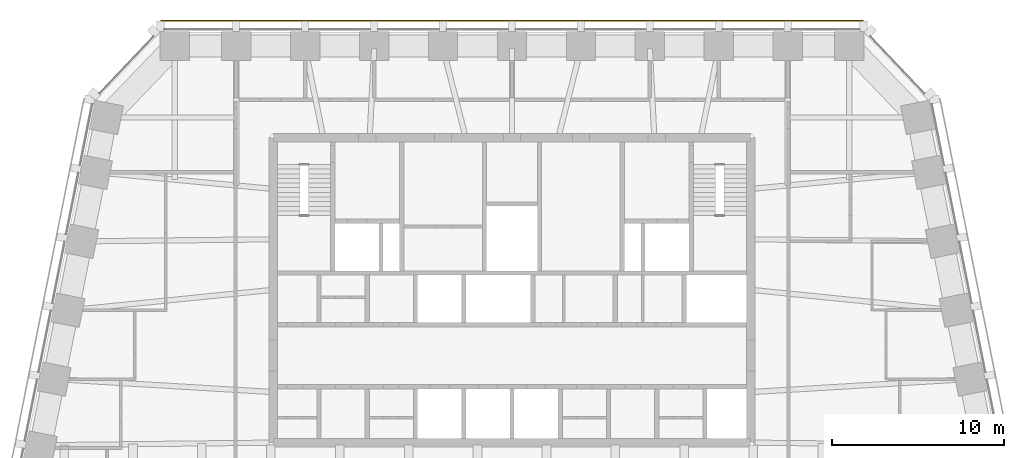
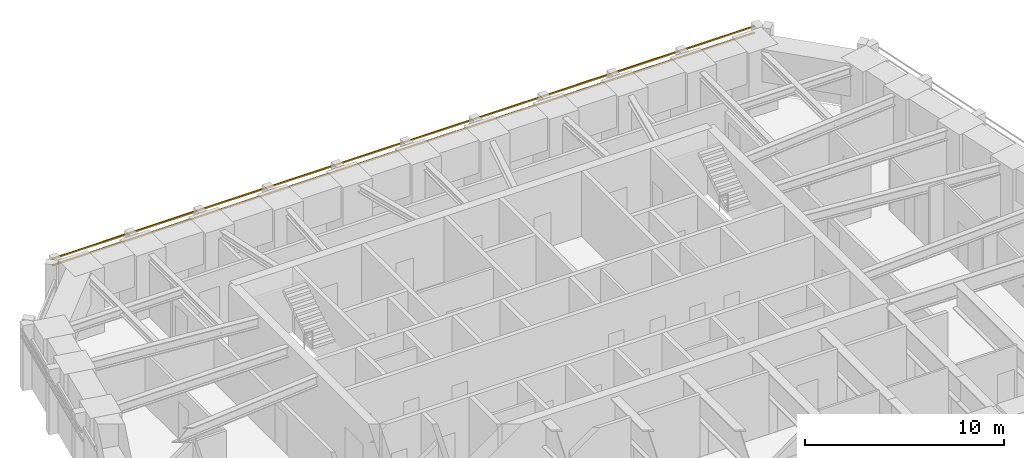
# One storey, part 12 of 12: 2 shading devices.
"""IFC4 building model written with IfcOpenShell, lengths in metres."""

from ifc_helpers import new_model, si_unit, direction, frame, origin, origin_2d, place, context, subcontext, project, spatial, rectangle, extrude, material, material_profile, profile_set, type_object, element, save


model = new_model("IFC4")

# Units and contexts
model_context = context("Model", 3, precision=1e-05, world=origin(), true_north=direction((0.0, 1.0)))
body_context = subcontext(model_context, "Body", "Model", "MODEL_VIEW")
ifc_project = project(units=[si_unit("LENGTHUNIT", "METRE"), si_unit("AREAUNIT", "SQUARE_METRE"), si_unit("VOLUMEUNIT", "CUBIC_METRE"), si_unit("PLANEANGLEUNIT", "RADIAN"), si_unit("MASSUNIT", "GRAM", prefix="KILO")], contexts=[model_context])

# Site, building, storey
site_placement = place(None, origin())
site = spatial("IfcSite", under=ifc_project, at=site_placement, CompositionType="ELEMENT")
building_placement = place(site_placement, origin())
building = spatial("IfcBuilding", under=site, at=building_placement, Name="Isbrekke Arena Tower", CompositionType="ELEMENT")
storey_placement = place(building_placement, frame((0.0, 0.0, 292.0)))
storey = spatial("IfcBuildingStorey", under=building, at=storey_placement, Name="L68", CompositionType="ELEMENT", Elevation=292.0)

# Shading devices
ifc_material = material(Name="Terracotta", Category="masonry")
ifc_material_profile = material_profile(ifc_material, rectangle(XDim=0.06005859375, YDim=0.06005859375, at=origin_2d()), Name="BAGUETTE 60X60")
ifc_profile_set = profile_set([ifc_material_profile], Name="Terracotta")
shading_device_type = type_object("IfcShadingDeviceType", Name="BG1 TERRACOTTA BAGUETTE 60 x 60", PredefinedType="USERDEFINED", material=ifc_profile_set)
for number, where, z_axis, x_axis, name in (
    (1, (20.39990234375, 30.655029296875, 3.280029296875), (-1.0, 0.0, 0.0), (0.0, -1.0, 0.0), "BG1 terracotta baguette N1 L68"),
    (2, (20.39990234375, 30.655029296875, 3.679931640625), (-1.0, 0.0, 0.0), (0.0, -1.0, 0.0), "BG1 terracotta baguette N2 L68"),
):
    element("IfcShadingDevice", number, at=place(storey_placement, frame(where, z_axis=z_axis, x_axis=x_axis)), inside=storey, type_object=shading_device_type, Name=name, ObjectType="TERRACOTTA BAGUETTE", PredefinedType="USERDEFINED", context=body_context, shape_type="SweptSolid", body=[
        extrude(rectangle(XDim=0.06005859375, YDim=0.06005859375, at=origin_2d()), origin(), (0.0, 0.0, 1.0), 40.7998046875),
    ])

save(model, "model.ifc")
